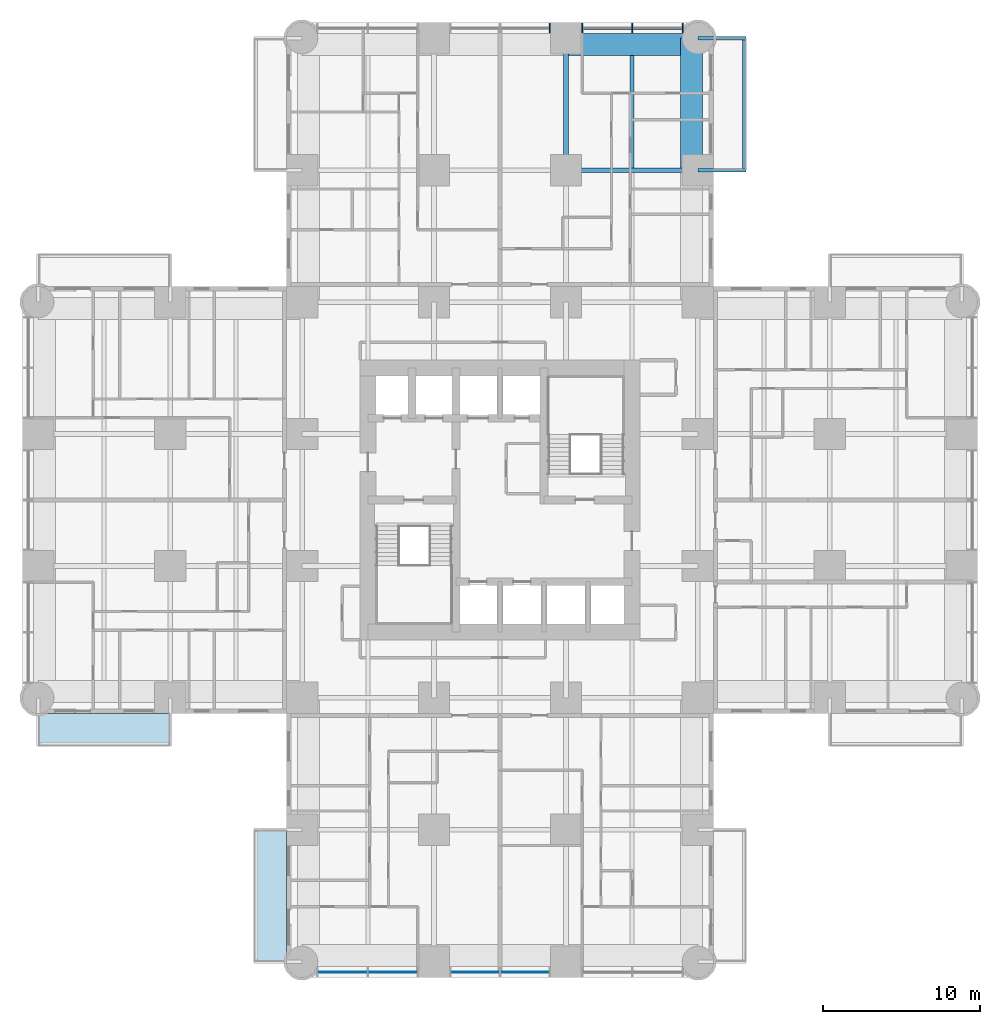
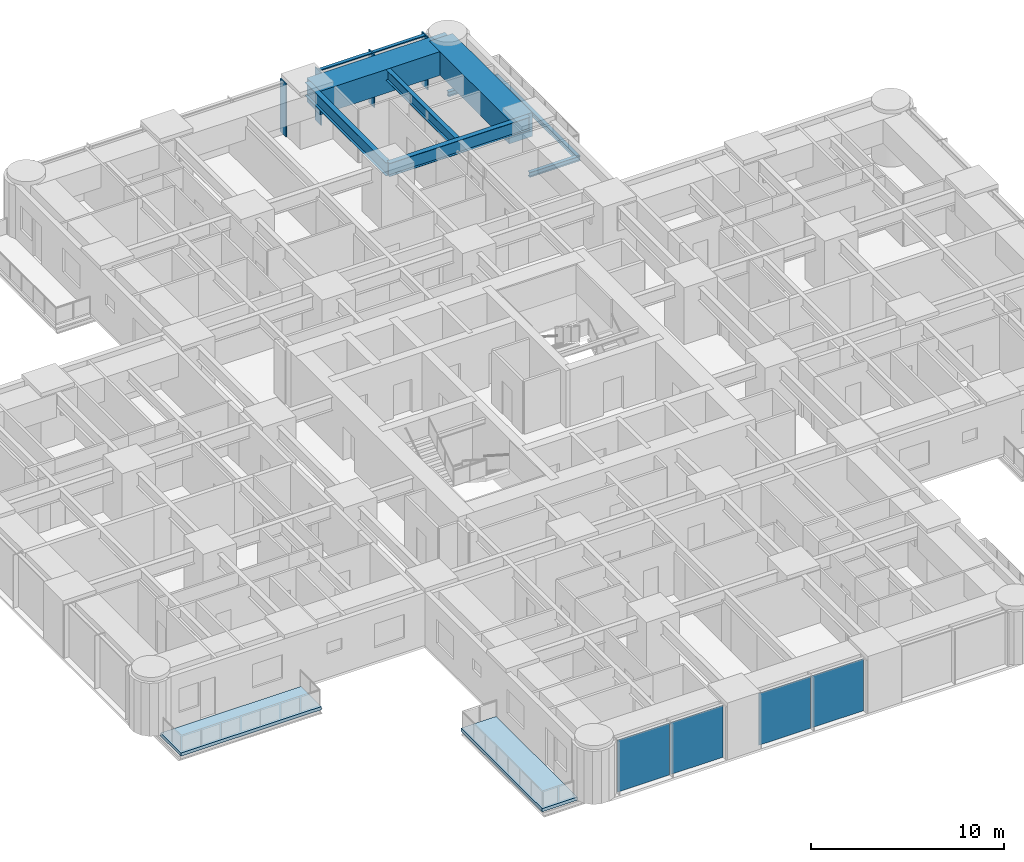
# One storey, part 5 of 17: 8 beams, 6 members, 4 plates, 2 slabs, 2 elements without a shape of their own.
"""IFC4 building model written with IfcOpenShell, lengths in metres."""

from ifc_helpers import new_model, si_unit, direction, frame, origin, origin_2d, place, context, subcontext, project, spatial, polyline, rectangle, i_section, outline, extrude, material, layer, layer_set, material_profile, profile_set, type_object, element, aggregate, save


model = new_model("IFC4")

# Units and contexts
model_context = context("Model", 3, precision=1e-05, world=origin(), true_north=direction((0.0, 1.0)))
body_context = subcontext(model_context, "Body", "Model", "MODEL_VIEW")
ifc_project = project(units=[si_unit("LENGTHUNIT", "METRE"), si_unit("AREAUNIT", "SQUARE_METRE"), si_unit("VOLUMEUNIT", "CUBIC_METRE"), si_unit("PLANEANGLEUNIT", "RADIAN"), si_unit("MASSUNIT", "GRAM", prefix="KILO")], contexts=[model_context])

# Site, building, storey
site_placement = place(None, origin())
site = spatial("IfcSite", under=ifc_project, at=site_placement, CompositionType="ELEMENT")
building_placement = place(site_placement, origin())
building = spatial("IfcBuilding", under=site, at=building_placement, Name="Torre Alcanfor", CompositionType="ELEMENT")
storey_placement = place(building_placement, frame((0.0, 0.0, 99.300048828125)))
storey = spatial("IfcBuildingStorey", under=building, at=storey_placement, Name="L25", CompositionType="ELEMENT", Elevation=99.300048828125)

# Beams
ifc_material_1 = material(Name="Steel ASTM A992 Grade 50", Category="steel")
ifc_material_profile_1 = material_profile(ifc_material_1, i_section(OverallWidth=0.205322265625, OverallDepth=0.309814453125, WebThickness=0.00927734375, FlangeThickness=0.016357421875, at=origin_2d()), Name="W12x50")
ifc_profile_set_1 = profile_set([ifc_material_profile_1], Name="Steel ASTM A992 Grade 50")
beam_type_1 = type_object("IfcBeamType", Name="Balcony cantilever beam W12x50", PredefinedType="BEAM", material=ifc_profile_set_1)
for number, where, z_axis, x_axis, name in (
    (1, (42.0, 50.39990234375, -0.35498046875), (1.0, 0.0, 0.0), (0.0, 1.0, 0.0), "Balcony cantilever beam L25-N2 1"),
    (2, (42.0, 58.800048828125, -0.35498046875), (1.0, 0.0, 0.0), (0.0, 1.0, 0.0), "Balcony cantilever beam L25-N2 2"),
):
    element("IfcBeam", number, at=place(storey_placement, frame(where, z_axis=z_axis, x_axis=x_axis)), inside=storey, type_object=beam_type_1, Name=name, PredefinedType="BEAM", context=body_context, shape_type="SweptSolid", body=[
        extrude(i_section(OverallWidth=0.205322265625, OverallDepth=0.309814453125, WebThickness=0.00927734375, FlangeThickness=0.016357421875, at=origin_2d()), origin(), (0.0, 0.0, 1.0), 3.050048828125),
    ])
ifc_material_2 = material(Name="Steel ASTM A992 Grade 50", Category="steel")
ifc_material_profile_2 = material_profile(ifc_material_2, i_section(OverallWidth=0.203369140625, OverallDepth=0.30224609375, WebThickness=0.007568359375, FlangeThickness=0.01318359375, at=origin_2d()), Name="W12x40")
ifc_profile_set_2 = profile_set([ifc_material_profile_2], Name="Steel ASTM A992 Grade 50")
beam_type_2 = type_object("IfcBeamType", Name="Balcony edge trimmer W12x40", PredefinedType="BEAM", material=ifc_profile_set_2)
beam_1_placement = place(storey_placement, frame((44.9482421875, 50.39990234375, -0.35107421875), z_axis=(0.0, 1.0, 0.0), x_axis=(-1.0, 0.0, 0.0)))
element("IfcBeam", 3, at=beam_1_placement, inside=storey, type_object=beam_type_2, Name="Balcony edge trimmer L25-N2", PredefinedType="BEAM", context=body_context, shape_type="SweptSolid", body=[
    extrude(i_section(OverallWidth=0.203369140625, OverallDepth=0.30224609375, WebThickness=0.007568359375, FlangeThickness=0.01318359375, at=origin_2d()), origin(), (0.0, 0.0, 1.0), 8.400146484375),
])

# Curtain wall, members
ifc_material_3 = material(Name="Aluminium and glass", Category="aluminium")
curtain_wall_type = type_object("IfcCurtainWallType", Name="CW-A unitised apartment glazing with vertical FIN", PredefinedType="NOTDEFINED", material=ifc_material_3)
curtain_wall_1_placement = place(storey_placement, origin())
curtain_wall_1 = element("IfcCurtainWall", 4, at=curtain_wall_1_placement, inside=storey, type_object=curtain_wall_type, Name="Curtain wall CW-A L25 11", PredefinedType="NOTDEFINED")
ifc_material_4 = material(Name="Bronze anodised aluminium", Category="aluminium")
ifc_material_profile_3 = material_profile(ifc_material_4, rectangle(XDim=0.60009765625, YDim=0.06494140625, at=origin_2d()), Name="CW-A mullion 65x600")
ifc_profile_set_3 = profile_set([ifc_material_profile_3], Name="Bronze anodised aluminium")
member_type_1 = type_object("IfcMemberType", Name="CW-A mullion with vertical FIN 65x600", PredefinedType="MULLION", material=ifc_profile_set_3)
member_1_placement = place(storey_placement, frame((41.025390625, 59.449951171875, 0.0), z_axis=(0.0, 0.0, 1.0), x_axis=(0.0, -1.0, 0.0)))
member_1 = element("IfcMember", 5, at=member_1_placement, type_object=member_type_1, Name="CW-A mullion 1.1", PredefinedType="MULLION", context=body_context, shape_type="SweptSolid", body=[
    extrude(rectangle(XDim=0.60009765625, YDim=0.06494140625, at=origin_2d()), origin(), (0.0, 0.0, 1.0), 3.349853515625),
])
member_2_placement = place(storey_placement, frame((37.83154296875, 59.449951171875, 0.0), z_axis=(0.0, 0.0, 1.0), x_axis=(0.0, -1.0, 0.0)))
member_2 = element("IfcMember", 6, at=member_2_placement, type_object=member_type_1, Name="CW-A mullion 1.2", PredefinedType="MULLION", context=body_context, shape_type="SweptSolid", body=[
    extrude(rectangle(XDim=0.60009765625, YDim=0.06494140625, at=origin_2d()), origin(), (0.0, 0.0, 1.0), 3.349853515625),
])
member_3_placement = place(storey_placement, frame((34.637451171875, 59.449951171875, 0.0), z_axis=(0.0, 0.0, 1.0), x_axis=(0.0, -1.0, 0.0)))
member_3 = element("IfcMember", 7, at=member_3_placement, type_object=member_type_1, Name="CW-A mullion 1.3", PredefinedType="MULLION", context=body_context, shape_type="SweptSolid", body=[
    extrude(rectangle(XDim=0.60009765625, YDim=0.06494140625, at=origin_2d()), origin(), (0.0, 0.0, 1.0), 3.349853515625),
])
member_4_placement = place(storey_placement, frame((32.5625, 59.449951171875, 0.0), z_axis=(0.0, 0.0, 1.0), x_axis=(0.0, -1.0, 0.0)))
member_4 = element("IfcMember", 8, at=member_4_placement, type_object=member_type_1, Name="CW-A mullion 2.1", PredefinedType="MULLION", context=body_context, shape_type="SweptSolid", body=[
    extrude(rectangle(XDim=0.60009765625, YDim=0.06494140625, at=origin_2d()), origin(), (0.0, 0.0, 1.0), 3.349853515625),
])
ifc_material_5 = material(Name="Extruded aluminium", Category="aluminium")
ifc_material_profile_4 = material_profile(ifc_material_5, rectangle(XDim=0.199951171875, YDim=0.06494140625, at=origin_2d()), Name="CW-A transom 200x65")
ifc_profile_set_4 = profile_set([ifc_material_profile_4], Name="Extruded aluminium")
member_type_2 = type_object("IfcMemberType", Name="CW-A transom 65x200", PredefinedType="USERDEFINED", material=ifc_profile_set_4)
member_5_placement = place(storey_placement, frame((40.992919921875, 59.449951171875, 3.3173828125), z_axis=(-1.0, 0.0, 0.0), x_axis=(0.0, -1.0, 0.0)))
member_5 = element("IfcMember", 9, at=member_5_placement, type_object=member_type_2, Name="CW-A transom 1.1.2", ObjectType="TRANSOM", PredefinedType="USERDEFINED", context=body_context, shape_type="SweptSolid", body=[
    extrude(rectangle(XDim=0.199951171875, YDim=0.06494140625, at=origin_2d()), origin(), (0.0, 0.0, 1.0), 3.12890625),
])
member_6_placement = place(storey_placement, frame((37.799072265625, 59.449951171875, 3.3173828125), z_axis=(-1.0, 0.0, 0.0), x_axis=(0.0, -1.0, 0.0)))
member_6 = element("IfcMember", 10, at=member_6_placement, type_object=member_type_2, Name="CW-A transom 1.2.2", ObjectType="TRANSOM", PredefinedType="USERDEFINED", context=body_context, shape_type="SweptSolid", body=[
    extrude(rectangle(XDim=0.199951171875, YDim=0.06494140625, at=origin_2d()), origin(), (0.0, 0.0, 1.0), 3.129150390625),
])
aggregate(curtain_wall_1, [member_1, member_2, member_3, member_5, member_6, member_4])

# Beams
ifc_material_6 = material(Name="Steel ASTM A992 Grade 50", Category="steel")
ifc_material_profile_5 = material_profile(ifc_material_6, i_section(OverallWidth=0.2919921875, OverallDepth=0.8408203125, WebThickness=0.0146484375, FlangeThickness=0.021728515625, at=origin_2d()), Name="W33x130")
ifc_profile_set_5 = profile_set([ifc_material_profile_5], Name="Steel ASTM A992 Grade 50")
beam_type_3 = type_object("IfcBeamType", Name="Girder W33x130", PredefinedType="BEAM", material=ifc_profile_set_5)
beam_2_placement = place(storey_placement, frame((33.60009765625, 50.39990234375, 2.9296875), z_axis=(1.0, 0.0, 0.0), x_axis=(0.0, 1.0, 0.0)))
element("IfcBeam", 11, at=beam_2_placement, inside=storey, type_object=beam_type_3, Name="Beam 5J-6J under L26", PredefinedType="BEAM", context=body_context, shape_type="SweptSolid", body=[
    extrude(i_section(OverallWidth=0.2919921875, OverallDepth=0.8408203125, WebThickness=0.0146484375, FlangeThickness=0.021728515625, at=origin_2d()), origin(), (0.0, 0.0, 1.0), 8.39990234375),
])
beam_3_placement = place(storey_placement, frame((33.60009765625, 50.39990234375, 2.9296875), z_axis=(0.0, 1.0, 0.0), x_axis=(-1.0, 0.0, 0.0)))
element("IfcBeam", 12, at=beam_3_placement, inside=storey, type_object=beam_type_3, Name="Beam 5J-5K under L26", PredefinedType="BEAM", context=body_context, shape_type="SweptSolid", body=[
    extrude(i_section(OverallWidth=0.2919921875, OverallDepth=0.8408203125, WebThickness=0.0146484375, FlangeThickness=0.021728515625, at=origin_2d()), origin(), (0.0, 0.0, 1.0), 8.400146484375),
])
ifc_material_7 = material(Name="Concrete f'c 70 MPa", Category="concrete")
ifc_material_profile_6 = material_profile(ifc_material_7, rectangle(XDim=1.39990234375, YDim=1.5, at=origin_2d()), Name="1400x1500")
ifc_profile_set_6 = profile_set([ifc_material_profile_6], Name="Concrete f'c 70 MPa")
beam_type_4 = type_object("IfcBeamType", Name="RC perimeter beam 1400x1500", PredefinedType="BEAM", material=ifc_profile_set_6)
beam_4_placement = place(storey_placement, frame((33.74609375, 58.39990234375, 2.599853515625), z_axis=(1.0, 0.0, 0.0), x_axis=(0.0, 1.0, 0.0)))
element("IfcBeam", 13, at=beam_4_placement, inside=storey, type_object=beam_type_4, Name="Beam 5K-6K under L26", PredefinedType="BEAM", context=body_context, shape_type="SweptSolid", body=[
    extrude(rectangle(XDim=1.39990234375, YDim=1.5, at=origin_2d()), origin(), (0.0, 0.0, 1.0), 8.25390625),
])
beam_5_placement = place(storey_placement, frame((41.60009765625, 50.5458984375, 2.599853515625), z_axis=(0.0, 1.0, 0.0), x_axis=(-1.0, 0.0, 0.0)))
element("IfcBeam", 14, at=beam_5_placement, inside=storey, type_object=beam_type_4, Name="Beam 6J-6K under L26", PredefinedType="BEAM", context=body_context, shape_type="SweptSolid", body=[
    extrude(rectangle(XDim=1.39990234375, YDim=1.5, at=origin_2d()), origin(), (0.0, 0.0, 1.0), 8.254150390625),
])
ifc_material_8 = material(Name="Steel ASTM A992 Grade 50", Category="steel")
ifc_material_profile_7 = material_profile(ifc_material_8, i_section(OverallWidth=0.25390625, OverallDepth=0.683349609375, WebThickness=0.012451171875, FlangeThickness=0.01904296875, at=origin_2d()), Name="W27x94")
ifc_profile_set_7 = profile_set([ifc_material_profile_7], Name="Steel ASTM A992 Grade 50")
beam_type_5 = type_object("IfcBeamType", Name="Secondary beam W27x94", PredefinedType="BEAM", material=ifc_profile_set_7)
beam_6_placement = place(storey_placement, frame((37.800048828125, 50.5458984375, 3.00830078125), z_axis=(0.0, 1.0, 0.0), x_axis=(-1.0, 0.0, 0.0)))
element("IfcBeam", 15, at=beam_6_placement, inside=storey, type_object=beam_type_5, Name="Beam 37_8J-37_8K under L26", PredefinedType="BEAM", context=body_context, shape_type="SweptSolid", body=[
    extrude(i_section(OverallWidth=0.25390625, OverallDepth=0.683349609375, WebThickness=0.012451171875, FlangeThickness=0.01904296875, at=origin_2d()), origin(), (0.0, 0.0, 1.0), 7.154052734375),
])

# Slabs
ifc_material_9 = material(Name="Concrete f'c 35 MPa", Category="concrete")
ifc_layer_1 = layer(ifc_material_9, 0.199951171875)
ifc_layer_set_1 = layer_set([ifc_layer_1], Name="Balcony slab 200")
slab_type = type_object("IfcSlabType", Name="Balcony slab 200", PredefinedType="FLOOR", material=ifc_layer_set_1)
slab_1_placement = place(storey_placement, frame((0.0, 0.0, -0.199951171875)))
element("IfcSlab", 16, at=slab_1_placement, inside=storey, type_object=slab_type, Name="Balcony L25-S2", PredefinedType="FLOOR", context=body_context, shape_type="SweptSolid", body=[
    extrude(outline(polyline([(13.699951171875, 8.39990234375), (13.699951171875, 0.0), (15.800048828125, 0.0), (15.800048828125, 8.39990234375), (13.699951171875, 8.39990234375)])), origin(), (0.0, 0.0, 1.0), 0.199951171875),
])
slab_2_placement = place(storey_placement, frame((0.0, 0.0, -0.199951171875)))
element("IfcSlab", 17, at=slab_2_placement, inside=storey, type_object=slab_type, Name="Balcony L25-W1", PredefinedType="FLOOR", context=body_context, shape_type="SweptSolid", body=[
    extrude(outline(polyline([(8.39990234375, 15.800048828125), (0.0, 15.800048828125), (0.0, 13.699951171875), (8.39990234375, 13.699951171875), (8.39990234375, 15.800048828125)])), origin(), (0.0, 0.0, 1.0), 0.199951171875),
])

# Curtain wall, plates
curtain_wall_2_placement = place(storey_placement, origin())
curtain_wall_2 = element("IfcCurtainWall", 18, at=curtain_wall_2_placement, inside=storey, type_object=curtain_wall_type, Name="Curtain wall CW-A L25 5", PredefinedType="NOTDEFINED")
ifc_material_10 = material(Name="Glass", Category="glass")
ifc_layer_2 = layer(ifc_material_10, 0.028076171875)
ifc_layer_set_2 = layer_set([ifc_layer_2], Name="CW-A clear double glazed unit")
plate_type = type_object("IfcPlateType", Name="CW-A clear double glazed unit", PredefinedType="CURTAIN_PANEL", material=ifc_layer_set_2)
plate_1_placement = place(storey_placement, frame((19.37158203125, -0.64990234375, 0.0), z_axis=(0.0, 0.0, 1.0), x_axis=(1.0, 0.0, 0.0)))
plate_1 = element("IfcPlate", 19, at=plate_1_placement, type_object=plate_type, Name="CW-A panel 1.1.1", PredefinedType="CURTAIN_PANEL", context=body_context, shape_type="SweptSolid", body=[
    extrude(rectangle(XDim=3.12890625, YDim=0.028076171875, at=origin_2d()), origin(), (0.0, 0.0, 1.0), 3.284912109375),
])
plate_2_placement = place(storey_placement, frame((22.5654296875, -0.64990234375, 0.0), z_axis=(0.0, 0.0, 1.0), x_axis=(1.0, 0.0, 0.0)))
plate_2 = element("IfcPlate", 20, at=plate_2_placement, type_object=plate_type, Name="CW-A panel 1.2.1", PredefinedType="CURTAIN_PANEL", context=body_context, shape_type="SweptSolid", body=[
    extrude(rectangle(XDim=3.12890625, YDim=0.028076171875, at=origin_2d()), origin(), (0.0, 0.0, 1.0), 3.284912109375),
])
plate_3_placement = place(storey_placement, frame((27.81884765625, -0.64990234375, 0.0), z_axis=(0.0, 0.0, 1.0), x_axis=(1.0, 0.0, 0.0)))
plate_3 = element("IfcPlate", 21, at=plate_3_placement, type_object=plate_type, Name="CW-A panel 2.1.1", PredefinedType="CURTAIN_PANEL", context=body_context, shape_type="SweptSolid", body=[
    extrude(rectangle(XDim=3.097412109375, YDim=0.028076171875, at=origin_2d()), origin(), (0.0, 0.0, 1.0), 3.284912109375),
])
plate_4_placement = place(storey_placement, frame((30.981201171875, -0.64990234375, 0.0), z_axis=(0.0, 0.0, 1.0), x_axis=(1.0, 0.0, 0.0)))
plate_4 = element("IfcPlate", 22, at=plate_4_placement, type_object=plate_type, Name="CW-A panel 2.2.1", PredefinedType="CURTAIN_PANEL", context=body_context, shape_type="SweptSolid", body=[
    extrude(rectangle(XDim=3.097412109375, YDim=0.028076171875, at=origin_2d()), origin(), (0.0, 0.0, 1.0), 3.284912109375),
])
aggregate(curtain_wall_2, [plate_1, plate_2, plate_3, plate_4])

save(model, "model.ifc")
